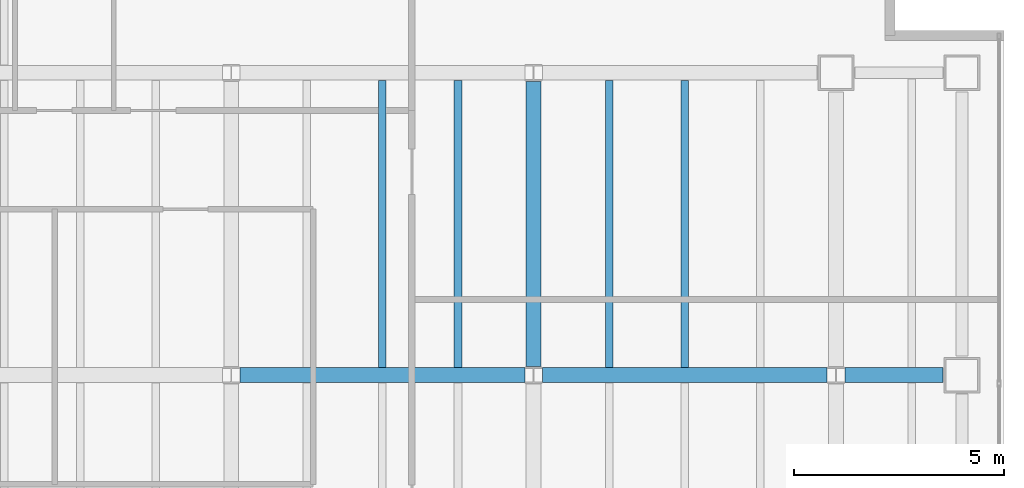
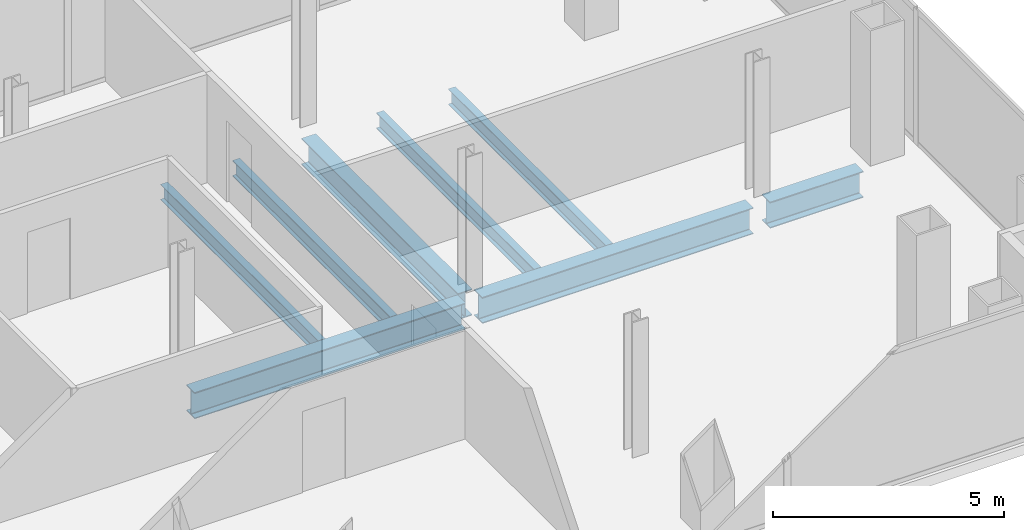
# One storey, part 12 of 23: 8 beams.
"""IFC4 building model written with IfcOpenShell, lengths in metres."""

from ifc_helpers import new_model, si_unit, direction, frame, origin, origin_2d, place, context, subcontext, project, spatial, i_section, extrude, material, material_profile, profile_set, type_object, element, save


model = new_model("IFC4")

# Units and contexts
model_context = context("Model", 3, precision=1e-05, world=origin(), true_north=direction((0.0, 1.0)))
body_context = subcontext(model_context, "Body", "Model", "MODEL_VIEW")
ifc_project = project(units=[si_unit("LENGTHUNIT", "METRE"), si_unit("AREAUNIT", "SQUARE_METRE"), si_unit("VOLUMEUNIT", "CUBIC_METRE"), si_unit("PLANEANGLEUNIT", "RADIAN"), si_unit("MASSUNIT", "GRAM", prefix="KILO")], contexts=[model_context])

# Site, building, storey
site_placement = place(None, origin())
site = spatial("IfcSite", under=ifc_project, at=site_placement, CompositionType="ELEMENT")
building_placement = place(site_placement, origin())
building = spatial("IfcBuilding", under=site, at=building_placement, Name="Cobrela Telecom Tower", CompositionType="ELEMENT")
storey_placement = place(building_placement, frame((0.0, 0.0, 148.39990234375)))
storey = spatial("IfcBuildingStorey", under=building, at=storey_placement, Name="L37", CompositionType="ELEMENT", Elevation=148.39990234375)

# Beams
ifc_material = material(Name="Steel ASTM A992 Grade 50", Category="steel")
ifc_material_profile_1 = material_profile(ifc_material, i_section(OverallWidth=0.35595703125, OverallDepth=0.696044921875, WebThickness=0.015380859375, FlangeThickness=0.024658203125, FilletRadius=0.01806640625, at=origin_2d()), Name="W27X146")
ifc_profile_set_1 = profile_set([ifc_material_profile_1], Name="Steel ASTM A992 Grade 50")
beam_type_1 = type_object("IfcBeamType", Name="BM-GIRD-05", PredefinedType="USERDEFINED", material=ifc_profile_set_1)
for number, where, z_axis, x_axis, name in (
    (1, (29.009521484375, 14.39990234375, -0.617919921875), (1.0, 0.0, 0.0), (0.0, 1.0, 0.0), "L37 Primary Girder X15"),
    (2, (36.20947265625, 14.39990234375, -0.617919921875), (1.0, 0.0, 0.0), (0.0, 1.0, 0.0), "L37 Primary Girder X16"),
):
    element("IfcBeam", number, at=place(storey_placement, frame(where, z_axis=z_axis, x_axis=x_axis)), inside=storey, type_object=beam_type_1, Name=name, ObjectType="GIRDER", PredefinedType="USERDEFINED", context=body_context, shape_type="SweptSolid", body=[
        extrude(i_section(OverallWidth=0.35595703125, OverallDepth=0.696044921875, WebThickness=0.015380859375, FlangeThickness=0.024658203125, FilletRadius=0.01806640625, at=origin_2d()), origin(), (0.0, 0.0, 1.0), 6.781005859375),
    ])
beam_1_placement = place(storey_placement, frame((43.409423828125, 14.39990234375, -0.617919921875), z_axis=(1.0, 0.0, 0.0), x_axis=(0.0, 1.0, 0.0)))
element("IfcBeam", 3, at=beam_1_placement, inside=storey, type_object=beam_type_1, Name="L37 Primary Girder X17", ObjectType="GIRDER", PredefinedType="USERDEFINED", context=body_context, shape_type="SweptSolid", body=[
    extrude(i_section(OverallWidth=0.35595703125, OverallDepth=0.696044921875, WebThickness=0.015380859375, FlangeThickness=0.024658203125, FilletRadius=0.01806640625, at=origin_2d()), origin(), (0.0, 0.0, 1.0), 2.335693359375),
])
beam_2_placement = place(storey_placement, frame((36.0, 14.609619140625, -0.617919921875), z_axis=(0.0, 1.0, 0.0), x_axis=(-1.0, 0.0, 0.0)))
element("IfcBeam", 4, at=beam_2_placement, inside=storey, type_object=beam_type_1, Name="L37 Primary Girder Y51", ObjectType="GIRDER", PredefinedType="USERDEFINED", context=body_context, shape_type="SweptSolid", body=[
    extrude(i_section(OverallWidth=0.35595703125, OverallDepth=0.696044921875, WebThickness=0.015380859375, FlangeThickness=0.024658203125, FilletRadius=0.01806640625, at=origin_2d()), origin(), (0.0, 0.0, 1.0), 6.78076171875),
])
ifc_material_profile_2 = material_profile(ifc_material, i_section(OverallWidth=0.179931640625, OverallDepth=0.4169921875, WebThickness=0.010986328125, FlangeThickness=0.01806640625, FilletRadius=0.011962890625, at=origin_2d()), Name="W16X57")
ifc_profile_set_2 = profile_set([ifc_material_profile_2], Name="Steel ASTM A992 Grade 50")
beam_type_2 = type_object("IfcBeamType", Name="BM-JOIST-04", PredefinedType="JOIST", material=ifc_profile_set_2)
for number, where, z_axis, x_axis, name in (
    (5, (32.39990234375, 14.5830078125, -0.478515625), (0.0, 1.0, 0.0), (-1.0, 0.0, 0.0), "L37 Secondary Composite Floor Beam J30"),
    (6, (34.199951171875, 14.5830078125, -0.478515625), (0.0, 1.0, 0.0), (-1.0, 0.0, 0.0), "L37 Secondary Composite Floor Beam J32"),
    (7, (37.800048828125, 14.5830078125, -0.478515625), (0.0, 1.0, 0.0), (-1.0, 0.0, 0.0), "L37 Secondary Composite Floor Beam J34"),
    (8, (39.60009765625, 14.5830078125, -0.478515625), (0.0, 1.0, 0.0), (-1.0, 0.0, 0.0), "L37 Secondary Composite Floor Beam J36"),
):
    element("IfcBeam", number, at=place(storey_placement, frame(where, z_axis=z_axis, x_axis=x_axis)), inside=storey, type_object=beam_type_2, Name=name, PredefinedType="JOIST", context=body_context, shape_type="SweptSolid", body=[
        extrude(i_section(OverallWidth=0.179931640625, OverallDepth=0.4169921875, WebThickness=0.010986328125, FlangeThickness=0.01806640625, FilletRadius=0.011962890625, at=origin_2d()), origin(), (0.0, 0.0, 1.0), 6.833984375),
    ])

save(model, "model.ifc")
